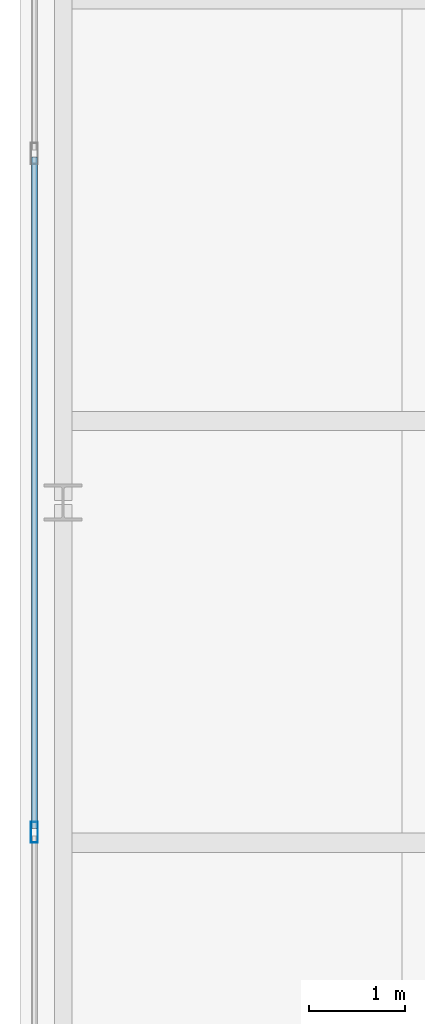
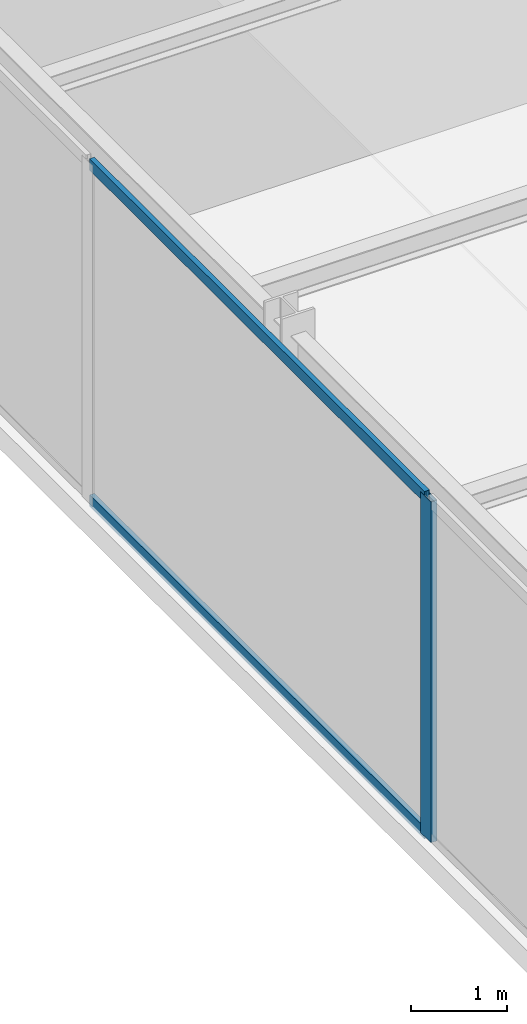
# One storey, part 11 of 32: 3 members, 1 element without a shape of its own.
"""IFC4 building model written with IfcOpenShell, lengths in metres."""

from ifc_helpers import new_model, si_unit, direction, frame, origin, origin_2d, place, context, subcontext, project, spatial, hollow_rectangle, extrude, source, transform, mapped, material, layer, layer_set, material_profile, profile_set, type_object, type_shapes, element, aggregate, save


model = new_model("IFC4")

# Units and contexts
model_context = context("Model", 3, precision=1e-05, world=origin(), true_north=direction((0.0, 1.0)))
body_context = subcontext(model_context, "Body", "Model", "MODEL_VIEW")
ifc_project = project(units=[si_unit("LENGTHUNIT", "METRE"), si_unit("AREAUNIT", "SQUARE_METRE"), si_unit("VOLUMEUNIT", "CUBIC_METRE"), si_unit("PLANEANGLEUNIT", "RADIAN"), si_unit("MASSUNIT", "GRAM", prefix="KILO")], contexts=[model_context])

# Site, building, storey
site_placement = place(None, origin())
site = spatial("IfcSite", under=ifc_project, at=site_placement, CompositionType="ELEMENT")
building_placement = place(site_placement, origin())
building = spatial("IfcBuilding", under=site, at=building_placement, Name="Varnel Quay Broadcast Tower", CompositionType="ELEMENT")
storey_placement = place(building_placement, frame((0.0, 0.0, 98.39990234375)))
storey = spatial("IfcBuildingStorey", under=building, at=storey_placement, Name="L23", CompositionType="ELEMENT", Elevation=98.39990234375)

# Curtain wall, members
ifc_material = material(Name="Anodised Bronze Aluminium 6063-T6", Category="aluminium")
ifc_layer = layer(ifc_material, 0.18994140625, Name="Anodised Bronze Aluminium 6063-T6")
ifc_layer_set = layer_set([ifc_layer], Name="Anodised Bronze Aluminium 6063-T6")
curtain_wall_type = type_object("IfcCurtainWallType", Name="CW_SkyObsHighVis", PredefinedType="NOTDEFINED", material=ifc_layer_set)
curtain_wall_placement = place(storey_placement, origin())
curtain_wall = element("IfcCurtainWall", 1, at=curtain_wall_placement, inside=storey, type_object=curtain_wall_type, Name="L23 West Unitised Curtain Wall", PredefinedType="NOTDEFINED")
ifc_material_profile_1 = material_profile(ifc_material, hollow_rectangle(XDim=0.074951171875, YDim=0.219970703125, WallThickness=0.00390625, at=origin_2d()), Name="ALU75X220X4")
ifc_profile_set_1 = profile_set([ifc_material_profile_1], Name="Anodised Bronze Aluminium 6063-T6")
member_type_1 = type_object("IfcMemberType", Name="Mull_CWS-05", PredefinedType="MULLION", material=ifc_profile_set_1)
shared_shape_1 = source(origin(), body_context, "Body", "SweptSolid", [
    extrude(hollow_rectangle(XDim=0.074951171875, YDim=0.219970703125, WallThickness=0.00390625, at=origin_2d()), origin(), (0.0, 0.0, 1.0), 4.35009765625),
])
type_shapes(member_type_1, [shared_shape_1])
member_1_placement = place(storey_placement, frame((4.64990234375, 21.9599609375, 0.0), z_axis=(0.0, 0.0, 1.0), x_axis=(-1.0, 0.0, 0.0)))
member_1 = element("IfcMember", 2, at=member_1_placement, type_object=member_type_1, Name="CWS-05 mullion 3", PredefinedType="MULLION", context=body_context, shape_type="MappedRepresentation", body=[
    mapped(shared_shape_1, transform((0.0, 0.0, 0.0), x_axis=(1.0, 0.0, 0.0), y_axis=(0.0, 1.0, 0.0), z_axis=(0.0, 0.0, 1.0), scale=1.0)),
])
ifc_material_profile_2 = material_profile(ifc_material, hollow_rectangle(XDim=0.06005859375, YDim=0.14501953125, WallThickness=0.00341796875, at=origin_2d()), Name="ALU60X145X3.5")
ifc_profile_set_2 = profile_set([ifc_material_profile_2], Name="Anodised Bronze Aluminium 6063-T6")
member_type_2 = type_object("IfcMemberType", Name="Tran_CWS-05", PredefinedType="USERDEFINED", material=ifc_profile_set_2)
shared_shape_2 = source(origin(), body_context, "Body", "SweptSolid", [
    extrude(hollow_rectangle(XDim=0.06005859375, YDim=0.14501953125, WallThickness=0.00341796875, at=origin_2d()), origin(), (0.0, 0.0, 1.0), 7.0048828125),
])
type_shapes(member_type_2, [shared_shape_2])
member_2_placement = place(storey_placement, frame((4.64990234375, 21.99755859375, 0.030029296875), z_axis=(0.0, 1.0, 0.0), x_axis=(-1.0, 0.0, 0.0)))
member_2 = element("IfcMember", 3, at=member_2_placement, type_object=member_type_2, Name="CWS-05 transom 3.1", ObjectType="TRANSOM", PredefinedType="USERDEFINED", context=body_context, shape_type="MappedRepresentation", body=[
    mapped(shared_shape_2, transform((0.0, 0.0, 0.0), x_axis=(1.0, 0.0, 0.0), y_axis=(0.0, 1.0, 0.0), z_axis=(0.0, 0.0, 1.0), scale=1.0)),
])
member_3_placement = place(storey_placement, frame((4.64990234375, 21.99755859375, 4.320068359375), z_axis=(0.0, 1.0, 0.0), x_axis=(-1.0, 0.0, 0.0)))
member_3 = element("IfcMember", 4, at=member_3_placement, type_object=member_type_2, Name="CWS-05 transom 3.2", ObjectType="TRANSOM", PredefinedType="USERDEFINED", context=body_context, shape_type="MappedRepresentation", body=[
    mapped(shared_shape_2, transform((0.0, 0.0, 0.0), x_axis=(1.0, 0.0, 0.0), y_axis=(0.0, 1.0, 0.0), z_axis=(0.0, 0.0, 1.0), scale=1.0)),
])
aggregate(curtain_wall, [member_1, member_2, member_3])

save(model, "model.ifc")
